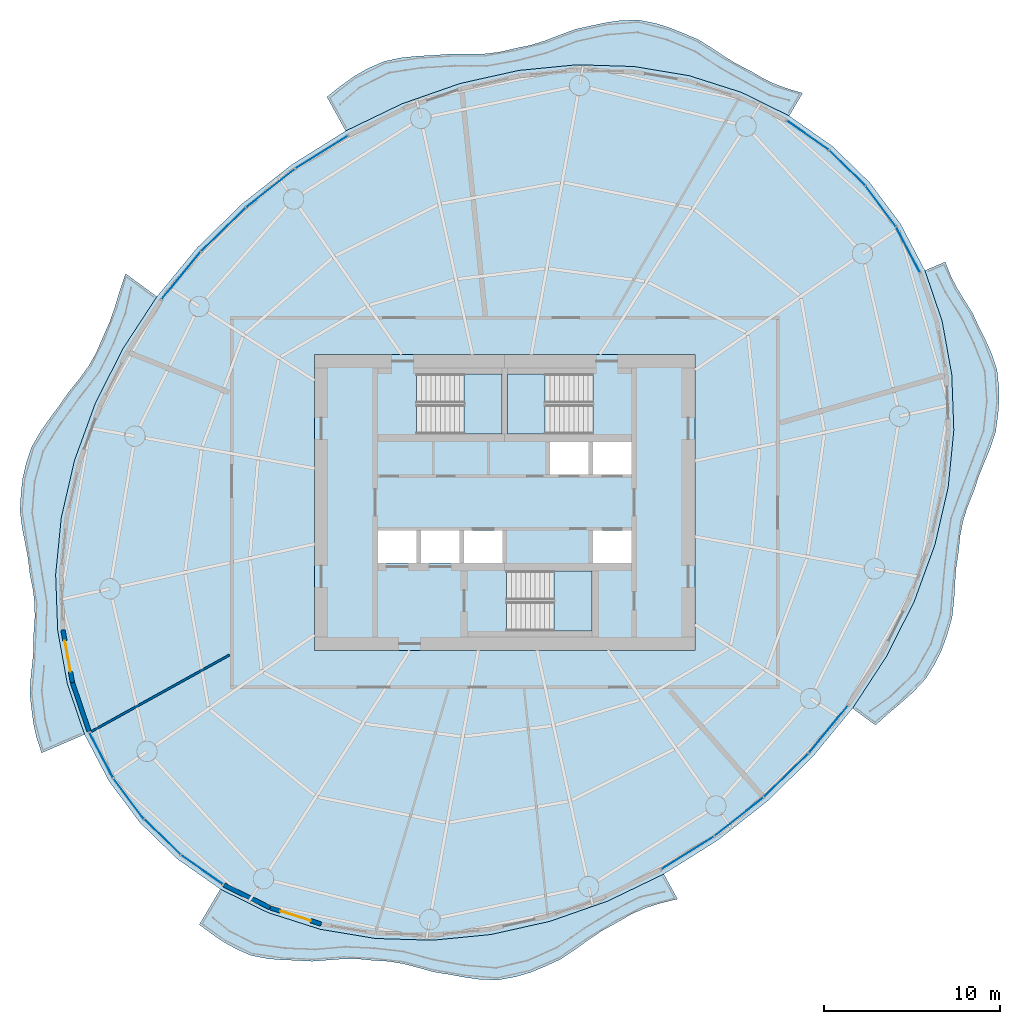
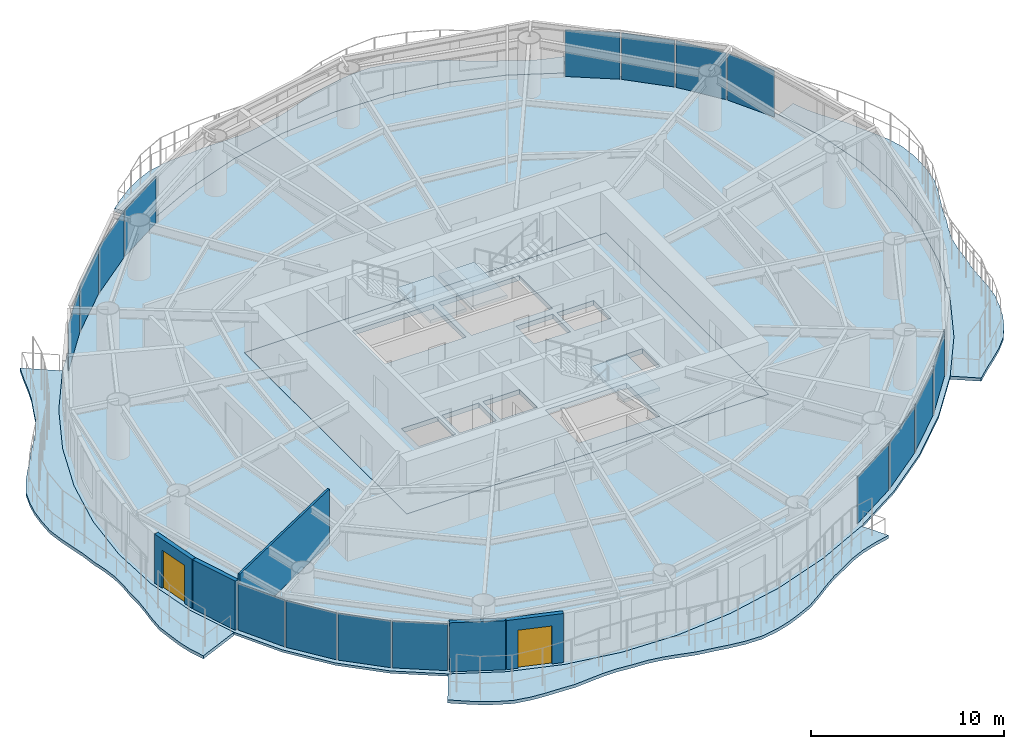
# One storey, part 7 of 14: 16 plates, 9 slabs, 5 walls, 2 doors, 2 openings, 19 elements without a shape of their own.
"""IFC4 building model written with IfcOpenShell, lengths in metres."""

from ifc_helpers import new_model, si_unit, direction, frame, frame_2d, origin, origin_2d, place, context, subcontext, project, spatial, polyline, rectangle, outline, extrude, material, layer, layer_set, type_object, element, fill, aggregate, save


model = new_model("IFC4")

# Units and contexts
model_context = context("Model", 3, precision=1e-05, world=origin(), true_north=direction((0.0, 1.0)))
body_context = subcontext(model_context, "Body", "Model", "MODEL_VIEW")
ifc_project = project(units=[si_unit("LENGTHUNIT", "METRE"), si_unit("AREAUNIT", "SQUARE_METRE"), si_unit("VOLUMEUNIT", "CUBIC_METRE"), si_unit("PLANEANGLEUNIT", "RADIAN"), si_unit("MASSUNIT", "GRAM", prefix="KILO")], contexts=[model_context])

# Site, building, storey
site_placement = place(None, origin())
site = spatial("IfcSite", under=ifc_project, at=site_placement, CompositionType="ELEMENT")
building_placement = place(site_placement, origin())
building = spatial("IfcBuilding", under=site, at=building_placement, Name="Vermilion Reach Broadcast Tower", CompositionType="ELEMENT")
storey_placement = place(building_placement, frame((0.0, 0.0, 199.300048828125)))
storey = spatial("IfcBuildingStorey", under=building, at=storey_placement, Name="L48", CompositionType="ELEMENT", Elevation=199.300048828125)

# Slabs
ifc_material_1 = material(Name="Concrete C40/50", Category="concrete")
ifc_layer_1 = layer(ifc_material_1, 0.199951171875)
ifc_layer_set_1 = layer_set([ifc_layer_1], Name="Balcony slab 200")
slab_type_1 = type_object("IfcSlabType", Name="Balcony slab 200", PredefinedType="FLOOR", material=ifc_layer_set_1)
placement_1 = place(storey_placement, frame((0.0, 0.0, -0.199951171875)))
element("IfcSlab", 1, at=placement_1, inside=storey, type_object=slab_type_1, Name="Balcony slab L48 group 1", PredefinedType="FLOOR", context=body_context, shape_type="SweptSolid", body=[
    extrude(outline(polyline([(10.152587890625, 21.960205078125), (7.435791015625, 23.298095703125), (4.489013671875, 24.237548828125), (1.362548828125, 24.76220703125), (-1.8896484375, 24.863037109375), (-5.212158203125, 24.53857421875), (-8.54833984375, 23.794189453125), (-11.8408203125, 22.642822265625), (-15.033203125, 21.10400390625), (-16.0986328125, 23.035400390625), (-15.290283203125, 23.677734375), (-14.560302734375, 24.20361328125), (-13.789306640625, 24.644775390625), (-12.8408203125, 25.056640625), (-11.834228515625, 25.265869140625), (-10.94189453125, 25.35546875), (-10.03466796875, 25.40283203125), (-9.028076171875, 25.47607421875), (-8.04443359375, 25.4599609375), (-7.17333984375, 25.47998046875), (-6.3203125, 25.580810546875), (-5.412353515625, 25.79150390625), (-4.51416015625, 25.97802734375), (-3.70068359375, 26.2333984375), (-2.89208984375, 26.54248046875), (-1.956787109375, 26.8876953125), (-1.00634765625, 27.095947265625), (-0.187255859375, 27.26953125), (0.630126953125, 27.3798828125), (1.624267578125, 27.404541015625), (2.57763671875, 27.214111328125), (3.34130859375, 26.975341796875), (4.09375, 26.67138671875), (4.9873046875, 26.29736328125), (5.79638671875, 25.793212890625), (6.46435546875, 25.342529296875), (7.142333984375, 24.923828125), (7.931396484375, 24.52783203125), (8.669677734375, 24.090087890625), (9.352783203125, 23.763427734375), (10.068603515625, 23.50341796875), (10.917236328125, 23.25048828125), (10.152587890625, 21.960205078125)])), origin(), (0.0, 0.0, 1.0), 0.199951171875),
])
element("IfcSlab", 2, at=placement_1, inside=storey, type_object=slab_type_1, Name="Balcony slab L48 group 2", PredefinedType="FLOOR", context=body_context, shape_type="SweptSolid", body=[
    extrude(outline(polyline([(-25.756591796875, 11.68994140625), (-27.69580078125, 8.7236328125), (-29.263916015625, 5.60791015625), (-30.43408203125, 2.396240234375), (-31.18603515625, -0.856201171875), (-31.507080078125, -4.09423828125), (-31.3916015625, -7.26220703125), (-30.841796875, -10.305908203125), (-29.866943359375, -13.173095703125), (-32.3056640625, -14.21875), (-32.60400390625, -13.30419921875), (-32.7666015625, -12.5595703125), (-32.867919921875, -11.79443359375), (-32.976318359375, -10.858154296875), (-32.916015625, -9.894775390625), (-32.824462890625, -9.092529296875), (-32.7568359375, -8.29443359375), (-32.75341796875, -7.4091796875), (-32.689453125, -6.516357421875), (-32.70263671875, -5.723876953125), (-32.7978515625, -4.934326171875), (-32.971435546875, -4.048583984375), (-33.085205078125, -3.120361328125), (-33.243896484375, -2.287109375), (-33.407958984375, -1.453369140625), (-33.53173828125, -0.470458984375), (-33.47607421875, 0.52978515625), (-33.37890625, 1.364013671875), (-33.194091796875, 2.177734375), (-32.885986328125, 3.123291015625), (-32.379150390625, 4.014404296875), (-31.8701171875, 4.738525390625), (-31.335205078125, 5.453125), (-30.774658203125, 6.260498046875), (-30.150390625, 7.0302734375), (-29.635498046875, 7.747314453125), (-29.20458984375, 8.506591796875), (-28.829833984375, 9.376953125), (-28.431640625, 10.26318359375), (-28.134521484375, 11.12744140625), (-27.8701171875, 12.01318359375), (-27.5400390625, 13.0009765625), (-25.756591796875, 11.68994140625)])), origin(), (0.0, 0.0, 1.0), 0.199951171875),
])
element("IfcSlab", 3, at=placement_1, inside=storey, type_object=slab_type_1, Name="Balcony slab L48 group 3", PredefinedType="FLOOR", context=body_context, shape_type="SweptSolid", body=[
    extrude(outline(polyline([(-22.152587890625, -21.960205078125), (-19.435791015625, -23.298095703125), (-16.489013671875, -24.237548828125), (-13.362548828125, -24.76220703125), (-10.1103515625, -24.863037109375), (-6.787841796875, -24.53857421875), (-3.45166015625, -23.794189453125), (-0.1591796875, -22.642822265625), (3.033203125, -21.10400390625), (3.81689453125, -22.5244140625), (2.84814453125, -22.760009765625), (1.993896484375, -23.02880859375), (1.1826171875, -23.385986328125), (0.3486328125, -23.86865234375), (-0.49169921875, -24.333740234375), (-1.239501953125, -24.8369140625), (-1.976318359375, -25.371826171875), (-2.837646484375, -25.9462890625), (-3.752685546875, -26.369140625), (-4.55517578125, -26.697021484375), (-5.376708984375, -26.9384765625), (-6.375244140625, -27.12109375), (-7.376953125, -27.092041015625), (-8.226806640625, -26.97802734375), (-9.080810546875, -26.81982421875), (-10.05078125, -26.66015625), (-10.97216796875, -26.40380859375), (-11.779541015625, -26.198974609375), (-12.589111328125, -26.064453125), (-13.486328125, -26.0107421875), (-14.361083984375, -25.923583984375), (-15.1650390625, -25.9248046875), (-15.978759765625, -25.9853515625), (-16.929931640625, -26.059814453125), (-17.864990234375, -26.008056640625), (-18.66748046875, -25.980224609375), (-19.45751953125, -25.912353515625), (-20.414306640625, -25.7265625), (-21.28564453125, -25.341064453125), (-21.94873046875, -24.9736328125), (-22.580078125, -24.5419921875), (-23.347412109375, -23.976318359375), (-22.152587890625, -21.960205078125)])), origin(), (0.0, 0.0, 1.0), 0.199951171875),
])
element("IfcSlab", 4, at=placement_1, inside=storey, type_object=slab_type_1, Name="Balcony slab L48 group 4", PredefinedType="FLOOR", context=body_context, shape_type="SweptSolid", body=[
    extrude(outline(polyline([(13.756591796875, -11.68994140625), (15.69580078125, -8.7236328125), (17.263916015625, -5.60791015625), (18.43408203125, -2.396240234375), (19.18603515625, 0.856201171875), (19.507080078125, 4.09423828125), (19.3916015625, 7.26220703125), (18.841796875, 10.305908203125), (17.866943359375, 13.173095703125), (19.019287109375, 13.667236328125), (19.331787109375, 12.87158203125), (19.6806640625, 12.1904296875), (20.085693359375, 11.528564453125), (20.572509765625, 10.753662109375), (20.96435546875, 9.903564453125), (21.3251953125, 9.182861328125), (21.653076171875, 8.45654296875), (21.959716796875, 7.53955078125), (22.06396484375, 6.56640625), (22.079345703125, 5.77392578125), (22.013916015625, 4.978515625), (21.885009765625, 4.02001953125), (21.56982421875, 3.072265625), (21.245361328125, 2.287109375), (20.926025390625, 1.501220703125), (20.632568359375, 0.618408203125), (20.280029296875, -0.253173828125), (20.02978515625, -1.052001953125), (19.86865234375, -1.871337890625), (19.774169921875, -2.793701171875), (19.63427734375, -3.742919921875), (19.5703125, -4.629150390625), (19.521484375, -5.52099609375), (19.40771484375, -6.5341796875), (19.124755859375, -7.520751953125), (18.830078125, -8.3486328125), (18.4482421875, -9.132568359375), (17.9130859375, -10.0009765625), (17.200927734375, -10.76611328125), (16.514892578125, -11.3759765625), (15.805419921875, -11.970947265625), (15.057861328125, -12.646484375), (13.756591796875, -11.68994140625)])), origin(), (0.0, 0.0, 1.0), 0.199951171875),
])
ifc_material_2 = material(Name="Concrete C40", Category="concrete")
ifc_layer_2 = layer(ifc_material_2, 0.300048828125)
ifc_layer_set_2 = layer_set([ifc_layer_2], Name="Core floor slab 300 mm Concrete C40")
slab_type_2 = type_object("IfcSlabType", Name="Core floor slab 300 mm Concrete C40", PredefinedType="FLOOR", material=ifc_layer_set_2)
slab_5_placement = place(storey_placement, frame((0.0, 0.0, -0.300048828125)))
element("IfcSlab", 5, at=slab_5_placement, inside=storey, type_object=slab_type_2, Name="L48 core floor", PredefinedType="FLOOR", context=body_context, shape_type="SweptSolid", body=[
    extrude(outline(polyline([(-16.800048828125, -8.39990234375), (4.800048828125, -8.39990234375), (4.800048828125, 8.39990234375), (-16.800048828125, 8.39990234375), (-16.800048828125, -8.39990234375)]), holes=[polyline([(-3.433349609375, 1.60009765625), (-1.24169921875, 1.60009765625), (-1.24169921875, 3.429931640625), (-3.433349609375, 3.429931640625), (-3.433349609375, 1.60009765625)]), polyline([(-0.99169921875, 1.60009765625), (1.199951171875, 1.60009765625), (1.199951171875, 3.429931640625), (-0.99169921875, 3.429931640625), (-0.99169921875, 1.60009765625)]), polyline([(-13.199951171875, -3.429931640625), (-11.00830078125, -3.429931640625), (-11.00830078125, -1.60009765625), (-13.199951171875, -1.60009765625), (-13.199951171875, -3.429931640625)]), polyline([(-10.75830078125, -3.429931640625), (-8.566650390625, -3.429931640625), (-8.566650390625, -1.60009765625), (-10.75830078125, -1.60009765625), (-10.75830078125, -3.429931640625)]), polyline([(-8.316650390625, -3.429931640625), (-6.125, -3.429931640625), (-6.125, -1.60009765625), (-8.316650390625, -1.60009765625), (-8.316650390625, -3.429931640625)]), polyline([(-0.99169921875, -3.429931640625), (1.199951171875, -3.429931640625), (1.199951171875, -1.60009765625), (-0.99169921875, -1.60009765625), (-0.99169921875, -3.429931640625)]), polyline([(-10.999267578125, 3.8798828125), (-6.14990234375, 3.8798828125), (-6.14990234375, 7.300048828125), (-10.999267578125, 7.300048828125), (-10.999267578125, 3.8798828125)]), polyline([(-1.000732421875, 7.300048828125), (-5.85009765625, 7.300048828125), (-5.85009765625, 3.8798828125), (-1.000732421875, 3.8798828125), (-1.000732421875, 7.300048828125)]), polyline([(-5.8994140625, -7.300048828125), (-1.050048828125, -7.300048828125), (-1.050048828125, -3.8798828125), (-5.8994140625, -3.8798828125), (-5.8994140625, -7.300048828125)])]), origin(), (0.0, 0.0, 1.0), 0.300048828125),
])

# Stair, slab
ifc_material_3 = material(Name="Concrete C40", Category="concrete")
stair_type = type_object("IfcStairType", Name="Exit stair RC 22 risers 164 mm", PredefinedType="HALF_TURN_STAIR", material=ifc_material_3)
placement_2 = place(storey_placement, origin())
stair_1 = element("IfcStair", 6, at=placement_2, inside=storey, type_object=stair_type, Name="L48 Exit stair ST1", PredefinedType="HALF_TURN_STAIR")
ifc_material_4 = material(Name="Concrete C40", Category="concrete")
ifc_layer_3 = layer(ifc_material_4, 0.199951171875)
ifc_layer_set_3 = layer_set([ifc_layer_3], Name="Exit stair landing Concrete C40")
slab_type_3 = type_object("IfcSlabType", Name="Exit stair landing Concrete C40", PredefinedType="LANDING", material=ifc_layer_set_3)
placement_3 = place(storey_placement, frame((0.0, 0.0, 1.599853515625)))
slab_6 = element("IfcSlab", 7, at=placement_3, type_object=slab_type_3, Name="ST1 landing 1", PredefinedType="LANDING", context=body_context, shape_type="SweptSolid", body=[
    extrude(outline(polyline([(-8.300048828125, 3.8798828125), (-6.14990234375, 3.8798828125), (-6.14990234375, 7.300048828125), (-8.300048828125, 7.300048828125), (-8.300048828125, 3.8798828125)])), origin(), (0.0, 0.0, 1.0), 0.2001953125),
])
aggregate(stair_1, [slab_6])

stair_2 = element("IfcStair", 8, at=placement_2, inside=storey, type_object=stair_type, Name="L48 Exit stair ST2", PredefinedType="HALF_TURN_STAIR")
slab_7 = element("IfcSlab", 9, at=placement_3, type_object=slab_type_3, Name="ST2 landing 1", PredefinedType="LANDING", context=body_context, shape_type="SweptSolid", body=[
    extrude(outline(polyline([(-3.699951171875, 7.300048828125), (-5.85009765625, 7.300048828125), (-5.85009765625, 3.8798828125), (-3.699951171875, 3.8798828125), (-3.699951171875, 7.300048828125)])), origin(), (0.0, 0.0, 1.0), 0.2001953125),
])
aggregate(stair_2, [slab_7])

stair_3 = element("IfcStair", 10, at=placement_2, inside=storey, type_object=stair_type, Name="L48 Exit stair ST3", PredefinedType="HALF_TURN_STAIR")
slab_8 = element("IfcSlab", 11, at=placement_3, type_object=slab_type_3, Name="ST3 landing 1", PredefinedType="LANDING", context=body_context, shape_type="SweptSolid", body=[
    extrude(outline(polyline([(-3.199951171875, -7.300048828125), (-1.050048828125, -7.300048828125), (-1.050048828125, -3.8798828125), (-3.199951171875, -3.8798828125), (-3.199951171875, -7.300048828125)])), origin(), (0.0, 0.0, 1.0), 0.2001953125),
])
aggregate(stair_3, [slab_8])

# Slab
ifc_material_5 = material(Name="Concrete C40", Category="concrete")
ifc_layer_4 = layer(ifc_material_5, 0.14990234375)
ifc_layer_set_4 = layer_set([ifc_layer_4], Name="Floor slab Concrete C40 composite 150")
slab_type_4 = type_object("IfcSlabType", Name="Floor slab Concrete C40 composite 150", PredefinedType="FLOOR", material=ifc_layer_set_4)
slab_9_placement = place(storey_placement, frame((0.0, 0.0, -0.150146484375)))
element("IfcSlab", 12, at=slab_9_placement, inside=storey, type_object=slab_type_4, Name="Floor slab L48", PredefinedType="FLOOR", context=body_context, shape_type="SweptSolid", body=[
    extrude(outline(polyline([(14.715576171875, 18.186279296875), (12.59326171875, 20.24658203125), (10.152587890625, 21.960205078125), (7.435791015625, 23.298095703125), (4.489013671875, 24.237548828125), (1.362548828125, 24.76220703125), (-1.8896484375, 24.863037109375), (-5.212158203125, 24.53857421875), (-8.54833984375, 23.794189453125), (-11.8408203125, 22.642822265625), (-15.033203125, 21.10400390625), (-18.0712890625, 19.203857421875), (-20.90283203125, 16.975341796875), (-23.479248046875, 14.456298828125), (-25.756591796875, 11.68994140625), (-27.69580078125, 8.7236328125), (-29.263916015625, 5.60791015625), (-30.43408203125, 2.396240234375), (-31.18603515625, -0.856201171875), (-31.507080078125, -4.09423828125), (-31.3916015625, -7.26220703125), (-30.841796875, -10.305908203125), (-29.866943359375, -13.173095703125), (-28.483642578125, -15.81494140625), (-26.715576171875, -18.186279296875), (-24.59326171875, -20.24658203125), (-22.152587890625, -21.960205078125), (-19.435791015625, -23.298095703125), (-16.489013671875, -24.237548828125), (-13.362548828125, -24.76220703125), (-10.1103515625, -24.863037109375), (-6.787841796875, -24.53857421875), (-3.45166015625, -23.794189453125), (-0.1591796875, -22.642822265625), (3.033203125, -21.10400390625), (6.0712890625, -19.203857421875), (8.90283203125, -16.975341796875), (11.479248046875, -14.456298828125), (13.756591796875, -11.68994140625), (15.69580078125, -8.7236328125), (17.263916015625, -5.60791015625), (18.43408203125, -2.396240234375), (19.18603515625, 0.856201171875), (19.507080078125, 4.09423828125), (19.3916015625, 7.26220703125), (18.841796875, 10.305908203125), (17.866943359375, 13.173095703125), (16.483642578125, 15.81494140625), (14.715576171875, 18.186279296875)]), holes=[polyline([(-16.800048828125, -8.39990234375), (4.800048828125, -8.39990234375), (4.800048828125, 8.39990234375), (-16.800048828125, 8.39990234375), (-16.800048828125, -8.39990234375)])]), origin(), (0.0, 0.0, 1.0), 0.150146484375),
])

# Curtain wall, plate
ifc_material_6 = material(Name="Low-e laminated clear glass in aluminium frame", Category="aluminium")
curtain_wall_type = type_object("IfcCurtainWallType", Name="Slot curtain wall", PredefinedType="NOTDEFINED", material=ifc_material_6)
curtain_wall_1 = element("IfcCurtainWall", 13, at=placement_2, inside=storey, type_object=curtain_wall_type, Name="Slot curtain wall L48 46", PredefinedType="NOTDEFINED")
ifc_material_7 = material(Name="Low-e laminated clear glass", Category="glass")
ifc_layer_5 = layer(ifc_material_7, 0.028076171875)
ifc_layer_set_5 = layer_set([ifc_layer_5], Name="Slot glass panel")
plate_type = type_object("IfcPlateType", Name="Slot glass panel", PredefinedType="CURTAIN_PANEL", material=ifc_layer_set_5)
plate_1_placement = place(storey_placement, frame((16.910400390625, 14.355224609375, 0.0), z_axis=(0.0, 0.0, 1.0), x_axis=(-0.463844391063, 0.885916689581, 0.0)))
plate_1 = element("IfcPlate", 14, at=plate_1_placement, type_object=plate_type, Name="Slot glass panel L48 46", PredefinedType="CURTAIN_PANEL", context=body_context, shape_type="SweptSolid", body=[
    extrude(rectangle(XDim=2.855224609375, YDim=0.028076171875, at=origin_2d()), origin(), (0.0, 0.0, 1.0), 2.949951171875),
])
aggregate(curtain_wall_1, [plate_1])

curtain_wall_2 = element("IfcCurtainWall", 15, at=placement_2, inside=storey, type_object=curtain_wall_type, Name="Slot curtain wall L48 47", PredefinedType="NOTDEFINED")
plate_2_placement = place(storey_placement, frame((15.35986328125, 16.822021484375, 0.0), z_axis=(0.0, 0.0, 1.0), x_axis=(-0.597719711707, 0.801705149189, 0.0)))
plate_2 = element("IfcPlate", 16, at=plate_2_placement, type_object=plate_type, Name="Slot glass panel L48 47", PredefinedType="CURTAIN_PANEL", context=body_context, shape_type="SweptSolid", body=[
    extrude(rectangle(XDim=2.830078125, YDim=0.028076171875, at=origin_2d()), origin(), (0.0, 0.0, 1.0), 2.949951171875),
])
aggregate(curtain_wall_2, [plate_2])

curtain_wall_3 = element("IfcCurtainWall", 17, at=placement_2, inside=storey, type_object=curtain_wall_type, Name="Slot curtain wall L48 00", PredefinedType="NOTDEFINED")
plate_3_placement = place(storey_placement, frame((13.446044921875, 19.001953125, 0.0), z_axis=(0.0, 0.0, 1.0), x_axis=(-0.717558233919, 0.696498514668, 0.0)))
plate_3 = element("IfcPlate", 18, at=plate_3_placement, type_object=plate_type, Name="Slot glass panel L48 00", PredefinedType="CURTAIN_PANEL", context=body_context, shape_type="SweptSolid", body=[
    extrude(rectangle(XDim=2.830078125, YDim=0.028076171875, at=origin_2d()), origin(), (0.0, 0.0, 1.0), 2.949951171875),
])
aggregate(curtain_wall_3, [plate_3])

curtain_wall_4 = element("IfcCurtainWall", 19, at=placement_2, inside=storey, type_object=curtain_wall_type, Name="Slot curtain wall L48 01", PredefinedType="NOTDEFINED")
plate_4_placement = place(storey_placement, frame((11.200927734375, 20.858642578125, 0.0), z_axis=(0.0, 0.0, 1.0), x_axis=(-0.818395849472, 0.574654882139, 0.0)))
plate_4 = element("IfcPlate", 20, at=plate_4_placement, type_object=plate_type, Name="Slot glass panel L48 01", PredefinedType="CURTAIN_PANEL", context=body_context, shape_type="SweptSolid", body=[
    extrude(rectangle(XDim=2.855224609375, YDim=0.028076171875, at=origin_2d()), origin(), (0.0, 0.0, 1.0), 2.949951171875),
])
aggregate(curtain_wall_4, [plate_4])

curtain_wall_5 = element("IfcCurtainWall", 21, at=placement_2, inside=storey, type_object=curtain_wall_type, Name="Slot curtain wall L48 10", PredefinedType="NOTDEFINED")
plate_5_placement = place(storey_placement, frame((-16.3935546875, 19.89990234375, 0.0), z_axis=(0.0, 0.0, 1.0), x_axis=(-0.84784037266, -0.530251546426, 0.0)))
plate_5 = element("IfcPlate", 22, at=plate_5_placement, type_object=plate_type, Name="Slot glass panel L48 10", PredefinedType="CURTAIN_PANEL", context=body_context, shape_type="SweptSolid", body=[
    extrude(rectangle(XDim=3.470703125, YDim=0.028076171875, at=origin_2d()), origin(), (0.0, 0.0, 1.0), 2.949951171875),
])
aggregate(curtain_wall_5, [plate_5])

curtain_wall_6 = element("IfcCurtainWall", 23, at=placement_2, inside=storey, type_object=curtain_wall_type, Name="Slot curtain wall L48 11", PredefinedType="NOTDEFINED")
plate_6_placement = place(storey_placement, frame((-19.3017578125, 17.854248046875, 0.0), z_axis=(0.0, 0.0, 1.0), x_axis=(-0.78579562553, -0.618486244712, 0.0)))
plate_6 = element("IfcPlate", 24, at=plate_6_placement, type_object=plate_type, Name="Slot glass panel L48 11", PredefinedType="CURTAIN_PANEL", context=body_context, shape_type="SweptSolid", body=[
    extrude(rectangle(XDim=3.490966796875, YDim=0.028076171875, at=origin_2d()), origin(), (0.0, 0.0, 1.0), 2.949951171875),
])
aggregate(curtain_wall_6, [plate_6])

curtain_wall_7 = element("IfcCurtainWall", 25, at=placement_2, inside=storey, type_object=curtain_wall_type, Name="Slot curtain wall L48 12", PredefinedType="NOTDEFINED")
plate_7_placement = place(storey_placement, frame((-21.9814453125, 15.501708984375, 0.0), z_axis=(0.0, 0.0, 1.0), x_axis=(-0.715030281631, -0.69909348184, 0.0)))
plate_7 = element("IfcPlate", 26, at=plate_7_placement, type_object=plate_type, Name="Slot glass panel L48 12", PredefinedType="CURTAIN_PANEL", context=body_context, shape_type="SweptSolid", body=[
    extrude(rectangle(XDim=3.490966796875, YDim=0.028076171875, at=origin_2d()), origin(), (0.0, 0.0, 1.0), 2.949951171875),
])
aggregate(curtain_wall_7, [plate_7])

curtain_wall_8 = element("IfcCurtainWall", 27, at=placement_2, inside=storey, type_object=curtain_wall_type, Name="Slot curtain wall L48 13", PredefinedType="NOTDEFINED")
plate_8_placement = place(storey_placement, frame((-24.386474609375, 12.8828125, 0.0), z_axis=(0.0, 0.0, 1.0), x_axis=(-0.635572362039, -0.772041302401, 0.0)))
plate_8 = element("IfcPlate", 28, at=plate_8_placement, type_object=plate_type, Name="Slot glass panel L48 13", PredefinedType="CURTAIN_PANEL", context=body_context, shape_type="SweptSolid", body=[
    extrude(rectangle(XDim=3.470703125, YDim=0.028076171875, at=origin_2d()), origin(), (0.0, 0.0, 1.0), 2.949951171875),
])
aggregate(curtain_wall_8, [plate_8])

curtain_wall_9 = element("IfcCurtainWall", 29, at=placement_2, inside=storey, type_object=curtain_wall_type, Name="Slot curtain wall L48 22", PredefinedType="NOTDEFINED")
plate_9_placement = place(storey_placement, frame((-28.910400390625, -14.355224609375, 0.0), z_axis=(0.0, 0.0, 1.0), x_axis=(0.463844391063, -0.885916689581, 0.0)))
plate_9 = element("IfcPlate", 30, at=plate_9_placement, type_object=plate_type, Name="Slot glass panel L48 22", PredefinedType="CURTAIN_PANEL", context=body_context, shape_type="SweptSolid", body=[
    extrude(rectangle(XDim=2.855224609375, YDim=0.028076171875, at=origin_2d()), origin(), (0.0, 0.0, 1.0), 2.949951171875),
])
aggregate(curtain_wall_9, [plate_9])

curtain_wall_10 = element("IfcCurtainWall", 31, at=placement_2, inside=storey, type_object=curtain_wall_type, Name="Slot curtain wall L48 23", PredefinedType="NOTDEFINED")
plate_10_placement = place(storey_placement, frame((-27.35986328125, -16.822021484375, 0.0), z_axis=(0.0, 0.0, 1.0), x_axis=(0.597719711707, -0.801705149189, 0.0)))
plate_10 = element("IfcPlate", 32, at=plate_10_placement, type_object=plate_type, Name="Slot glass panel L48 23", PredefinedType="CURTAIN_PANEL", context=body_context, shape_type="SweptSolid", body=[
    extrude(rectangle(XDim=2.830078125, YDim=0.028076171875, at=origin_2d()), origin(), (0.0, 0.0, 1.0), 2.949951171875),
])
aggregate(curtain_wall_10, [plate_10])

curtain_wall_11 = element("IfcCurtainWall", 33, at=placement_2, inside=storey, type_object=curtain_wall_type, Name="Slot curtain wall L48 24", PredefinedType="NOTDEFINED")
plate_11_placement = place(storey_placement, frame((-25.446044921875, -19.001953125, 0.0), z_axis=(0.0, 0.0, 1.0), x_axis=(0.717558233919, -0.696498514668, 0.0)))
plate_11 = element("IfcPlate", 34, at=plate_11_placement, type_object=plate_type, Name="Slot glass panel L48 24", PredefinedType="CURTAIN_PANEL", context=body_context, shape_type="SweptSolid", body=[
    extrude(rectangle(XDim=2.830078125, YDim=0.028076171875, at=origin_2d()), origin(), (0.0, 0.0, 1.0), 2.949951171875),
])
aggregate(curtain_wall_11, [plate_11])

curtain_wall_12 = element("IfcCurtainWall", 35, at=placement_2, inside=storey, type_object=curtain_wall_type, Name="Slot curtain wall L48 25", PredefinedType="NOTDEFINED")
plate_12_placement = place(storey_placement, frame((-23.200927734375, -20.858642578125, 0.0), z_axis=(0.0, 0.0, 1.0), x_axis=(0.818395849472, -0.574654882139, 0.0)))
plate_12 = element("IfcPlate", 36, at=plate_12_placement, type_object=plate_type, Name="Slot glass panel L48 25", PredefinedType="CURTAIN_PANEL", context=body_context, shape_type="SweptSolid", body=[
    extrude(rectangle(XDim=2.855224609375, YDim=0.028076171875, at=origin_2d()), origin(), (0.0, 0.0, 1.0), 2.949951171875),
])
aggregate(curtain_wall_12, [plate_12])

curtain_wall_13 = element("IfcCurtainWall", 37, at=placement_2, inside=storey, type_object=curtain_wall_type, Name="Slot curtain wall L48 34", PredefinedType="NOTDEFINED")
plate_13_placement = place(storey_placement, frame((4.3935546875, -19.89990234375, 0.0), z_axis=(0.0, 0.0, 1.0), x_axis=(0.84784037266, 0.530251546426, 0.0)))
plate_13 = element("IfcPlate", 38, at=plate_13_placement, type_object=plate_type, Name="Slot glass panel L48 34", PredefinedType="CURTAIN_PANEL", context=body_context, shape_type="SweptSolid", body=[
    extrude(rectangle(XDim=3.470703125, YDim=0.028076171875, at=origin_2d()), origin(), (0.0, 0.0, 1.0), 2.949951171875),
])
aggregate(curtain_wall_13, [plate_13])

curtain_wall_14 = element("IfcCurtainWall", 39, at=placement_2, inside=storey, type_object=curtain_wall_type, Name="Slot curtain wall L48 35", PredefinedType="NOTDEFINED")
plate_14_placement = place(storey_placement, frame((7.3017578125, -17.854248046875, 0.0), z_axis=(0.0, 0.0, 1.0), x_axis=(0.78579562553, 0.618486244712, 0.0)))
plate_14 = element("IfcPlate", 40, at=plate_14_placement, type_object=plate_type, Name="Slot glass panel L48 35", PredefinedType="CURTAIN_PANEL", context=body_context, shape_type="SweptSolid", body=[
    extrude(rectangle(XDim=3.490966796875, YDim=0.028076171875, at=origin_2d()), origin(), (0.0, 0.0, 1.0), 2.949951171875),
])
aggregate(curtain_wall_14, [plate_14])

curtain_wall_15 = element("IfcCurtainWall", 41, at=placement_2, inside=storey, type_object=curtain_wall_type, Name="Slot curtain wall L48 36", PredefinedType="NOTDEFINED")
plate_15_placement = place(storey_placement, frame((9.9814453125, -15.501708984375, 0.0), z_axis=(0.0, 0.0, 1.0), x_axis=(0.715030281631, 0.69909348184, 0.0)))
plate_15 = element("IfcPlate", 42, at=plate_15_placement, type_object=plate_type, Name="Slot glass panel L48 36", PredefinedType="CURTAIN_PANEL", context=body_context, shape_type="SweptSolid", body=[
    extrude(rectangle(XDim=3.490966796875, YDim=0.028076171875, at=origin_2d()), origin(), (0.0, 0.0, 1.0), 2.949951171875),
])
aggregate(curtain_wall_15, [plate_15])

curtain_wall_16 = element("IfcCurtainWall", 43, at=placement_2, inside=storey, type_object=curtain_wall_type, Name="Slot curtain wall L48 37", PredefinedType="NOTDEFINED")
plate_16_placement = place(storey_placement, frame((12.386474609375, -12.8828125, 0.0), z_axis=(0.0, 0.0, 1.0), x_axis=(0.635572362039, 0.772041302401, 0.0)))
plate_16 = element("IfcPlate", 44, at=plate_16_placement, type_object=plate_type, Name="Slot glass panel L48 37", PredefinedType="CURTAIN_PANEL", context=body_context, shape_type="SweptSolid", body=[
    extrude(rectangle(XDim=3.470703125, YDim=0.028076171875, at=origin_2d()), origin(), (0.0, 0.0, 1.0), 2.949951171875),
])
aggregate(curtain_wall_16, [plate_16])

# Wall
ifc_material_8 = material(Name="Fire-rated plasterboard on steel stud", Category="steel")
ifc_layer_6 = layer(ifc_material_8, 0.125)
ifc_layer_set_6 = layer_set([ifc_layer_6], Name="Partition 125 fire-rated stud")
wall_type_1 = type_object("IfcWallType", Name="Partition 125 fire-rated stud", PredefinedType="PARTITIONING", material=ifc_layer_set_6)
wall_1_placement = place(storey_placement, frame((-29.476318359375, -13.005859375, 0.0), z_axis=(0.0, 0.0, 1.0), x_axis=(0.874733135583, 0.484604933439, 0.0)))
element("IfcWall", 45, at=wall_1_placement, inside=storey, type_object=wall_type_1, Name="Partition 48.04", PredefinedType="PARTITIONING", context=body_context, shape_type="SweptSolid", body=[
    extrude(rectangle(XDim=8.969482421875, YDim=0.125, at=frame_2d((4.48486328125, 0.0))), origin(), (0.0, 0.0, 1.0), 3.449951171875),
])

# Wall, opening, door
ifc_material_9 = material(Name="Terracotta rainscreen cladding", Category="masonry")
ifc_layer_7 = layer(ifc_material_9, 0.25)
ifc_layer_set_7 = layer_set([ifc_layer_7], Name="Terracotta rainscreen wall 250")
wall_type_2 = type_object("IfcWallType", Name="Terracotta rainscreen wall 250", PredefinedType="SOLIDWALL", material=ifc_layer_set_7)
wall_2_placement = place(storey_placement, frame((-31.091064453125, -7.242919921875, 0.0), z_axis=(0.0, 0.0, 1.0), x_axis=(0.177755310082, -0.984074717558, 0.0)))
wall_2 = element("IfcWall", 46, at=wall_2_placement, inside=storey, type_object=wall_type_2, Name="External wall L48 20", PredefinedType="SOLIDWALL", context=body_context, shape_type="SweptSolid", body=[
    extrude(rectangle(XDim=3.02294921875, YDim=0.25, at=frame_2d((1.511474609375, 0.0))), origin(), (0.0, 0.0, 1.0), 3.099853515625),
])
opening_1_placement = place(wall_2_placement, frame((0.611083984375, 0.0, 0.0)))
opening_1 = element("IfcOpeningElement", 47, at=opening_1_placement, cuts=wall_2, Name="Opening D70", PredefinedType="OPENING", context=body_context, shape_type="SweptSolid", body=[
    extrude(rectangle(XDim=1.800048828125, YDim=2.39990234375, at=frame_2d((0.89990234375, 1.199951171875))), frame((0.0, 0.135009765625, 0.0), z_axis=(0.0, -1.0, 0.0), x_axis=(1.0, 0.0, 0.0)), (0.0, 0.0, 1.0), 0.27001953125),
])
ifc_material_10 = material(Name="Low-e laminated clear glass in aluminium frame", Category="aluminium")
door_type = type_object("IfcDoorType", Name="Balcony sliding door 1800 x 2400", OperationType="DOUBLE_DOOR_SLIDING", PredefinedType="DOOR", material=ifc_material_10)
door_1_placement = place(opening_1_placement, origin())
door_1 = element("IfcDoor", 48, at=door_1_placement, inside=storey, type_object=door_type, Name="Balcony door L48 run 05", OperationType="DOUBLE_DOOR_SLIDING", OverallHeight=2.39990234375, OverallWidth=1.800048828125, PredefinedType="DOOR", context=body_context, shape_type="SweptSolid", body=[
    extrude(rectangle(XDim=1.800048828125, YDim=2.39990234375, at=frame_2d((0.89990234375, 1.199951171875))), frame((0.0, 0.02490234375, 0.0), z_axis=(0.0, -1.0, 0.0), x_axis=(1.0, 0.0, 0.0)), (0.0, 0.0, 1.0), 0.050048828125),
])
fill(opening_1, door_1)

# Walls
wall_3_placement = place(storey_placement, frame((-30.547119140625, -10.243408203125, 0.0), z_axis=(0.0, 0.0, 1.0), x_axis=(0.321901231571, -0.946773255385, 0.0)))
element("IfcWall", 49, at=wall_3_placement, inside=storey, type_object=wall_type_2, Name="External wall L48 21", PredefinedType="SOLIDWALL", context=body_context, shape_type="SweptSolid", body=[
    extrude(rectangle(XDim=2.91455078125, YDim=0.25, at=frame_2d((1.457275390625, 0.0))), origin(), (0.0, 0.0, 1.0), 3.099853515625),
])
wall_4_placement = place(storey_placement, frame((-21.95068359375, -21.726318359375, 0.0), z_axis=(0.0, 0.0, 1.0), x_axis=(0.897141057634, -0.441744182426, 0.0)))
element("IfcWall", 50, at=wall_4_placement, inside=storey, type_object=wall_type_2, Name="External wall L48 26", PredefinedType="SOLIDWALL", context=body_context, shape_type="SweptSolid", body=[
    extrude(rectangle(XDim=2.914794921875, YDim=0.25, at=frame_2d((1.45751953125, 0.0))), origin(), (0.0, 0.0, 1.0), 3.099853515625),
])

# Wall, opening, door
wall_5_placement = place(storey_placement, frame((-19.31103515625, -23.02392578125, 0.0), z_axis=(0.0, 0.0, 1.0), x_axis=(0.952776106235, -0.303673659358, 0.0)))
wall_5 = element("IfcWall", 51, at=wall_5_placement, inside=storey, type_object=wall_type_2, Name="External wall L48 27", PredefinedType="SOLIDWALL", context=body_context, shape_type="SweptSolid", body=[
    extrude(rectangle(XDim=3.02294921875, YDim=0.25, at=frame_2d((1.511474609375, 0.0))), origin(), (0.0, 0.0, 1.0), 3.099853515625),
])
opening_2_placement = place(wall_5_placement, frame((0.611083984375, 0.0, 0.0)))
opening_2 = element("IfcOpeningElement", 52, at=opening_2_placement, cuts=wall_5, Name="Opening D70", PredefinedType="OPENING", context=body_context, shape_type="SweptSolid", body=[
    extrude(rectangle(XDim=1.800048828125, YDim=2.39990234375, at=frame_2d((0.89990234375, 1.199951171875))), frame((0.0, 0.135009765625, 0.0), z_axis=(0.0, -1.0, 0.0), x_axis=(1.0, 0.0, 0.0)), (0.0, 0.0, 1.0), 0.27001953125),
])
door_2_placement = place(opening_2_placement, origin())
door_2 = element("IfcDoor", 53, at=door_2_placement, inside=storey, type_object=door_type, Name="Balcony door L48 run 07", OperationType="DOUBLE_DOOR_SLIDING", OverallHeight=2.39990234375, OverallWidth=1.800048828125, PredefinedType="DOOR", context=body_context, shape_type="SweptSolid", body=[
    extrude(rectangle(XDim=1.800048828125, YDim=2.39990234375, at=frame_2d((0.89990234375, 1.199951171875))), frame((0.0, 0.02490234375, 0.0), z_axis=(0.0, -1.0, 0.0), x_axis=(1.0, 0.0, 0.0)), (0.0, 0.0, 1.0), 0.050048828125),
])
fill(opening_2, door_2)

save(model, "model.ifc")
